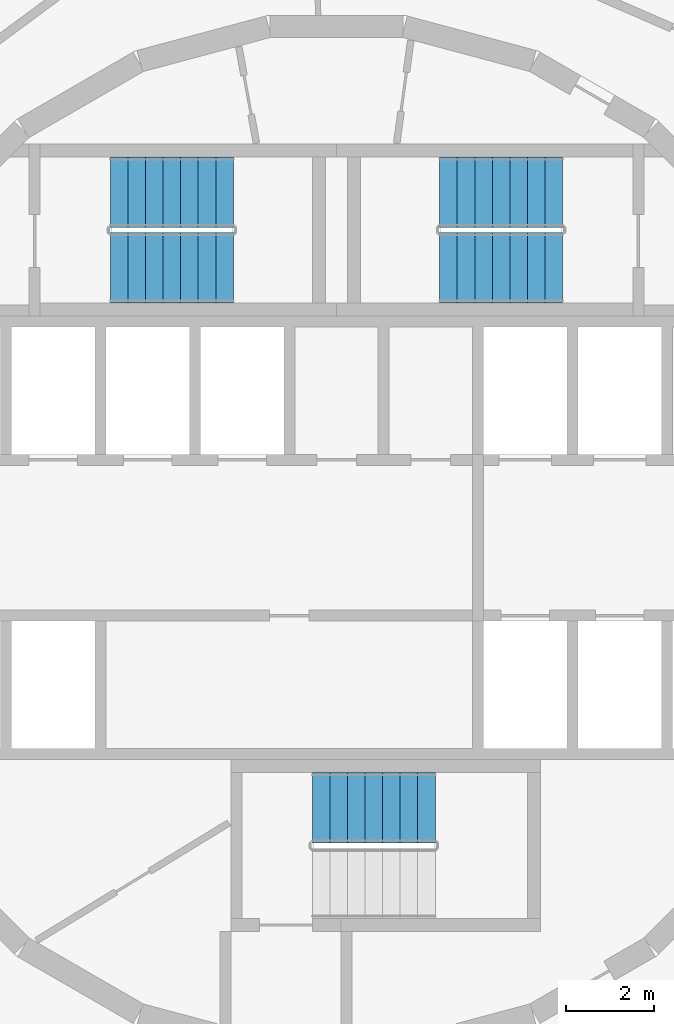
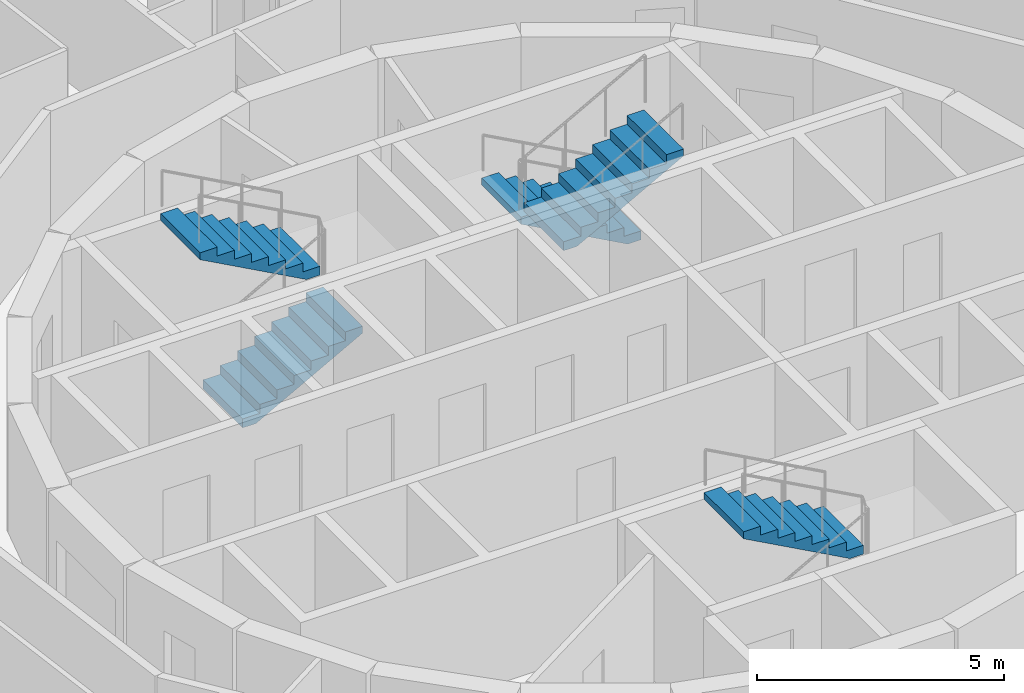
# One storey, part 20 of 21: 5 stair flights, 3 elements without a shape of their own.
"""IFC4 building model written with IfcOpenShell, lengths in metres."""

from ifc_helpers import new_model, si_unit, direction, frame, origin, place, context, subcontext, project, spatial, polyline, outline, extrude, material, type_object, element, aggregate, save


model = new_model("IFC4")

# Units and contexts
model_context = context("Model", 3, precision=1e-05, world=origin(), true_north=direction((0.0, 1.0)))
body_context = subcontext(model_context, "Body", "Model", "MODEL_VIEW")
ifc_project = project(units=[si_unit("LENGTHUNIT", "METRE"), si_unit("AREAUNIT", "SQUARE_METRE"), si_unit("VOLUMEUNIT", "CUBIC_METRE"), si_unit("PLANEANGLEUNIT", "RADIAN"), si_unit("MASSUNIT", "GRAM", prefix="KILO")], contexts=[model_context])

# Site, building, storey
site_placement = place(None, origin())
site = spatial("IfcSite", under=ifc_project, at=site_placement, CompositionType="ELEMENT")
building_placement = place(site_placement, origin())
building = spatial("IfcBuilding", under=site, at=building_placement, Name="Spindle Arch Residences", CompositionType="ELEMENT")
storey_placement = place(building_placement, frame((0.0, 0.0, 97.699951171875)))
storey = spatial("IfcBuildingStorey", under=building, at=storey_placement, Name="L23", CompositionType="ELEMENT", Elevation=97.699951171875)

# Stair, stair flights
ifc_material_1 = material(Name="Concrete C50/60", Category="concrete")
stair_type = type_object("IfcStairType", Name="Exit stair 16 risers", PredefinedType="HALF_TURN_STAIR", material=ifc_material_1)
stair_1_placement = place(storey_placement, origin())
stair_1 = element("IfcStair", 1, at=stair_1_placement, inside=storey, type_object=stair_type, Name="L23 Exit stair ST1", PredefinedType="HALF_TURN_STAIR")
ifc_material_2 = material(Name="Concrete C50/60", Category="concrete")
stair_flight_type = type_object("IfcStairFlightType", Name="Exit stair flight", PredefinedType="STRAIGHT", material=ifc_material_2)
stair_flight_1_placement = place(storey_placement, frame((5.14990234375, 7.8701171875, 0.0), z_axis=(0.0, 0.0, 1.0), x_axis=(-1.0, 0.0, 0.0)))
stair_flight_1 = element("IfcStairFlight", 2, at=stair_flight_1_placement, type_object=stair_flight_type, Name="ST1 flight 1", NumberOfRisers=8, NumberOfTreads=7, PredefinedType="STRAIGHT", RiserHeight=0.21875, TreadLength=0.4, context=body_context, shape_type="SweptSolid", body=[
    extrude(outline(polyline([(0.0, 0.0), (0.0, 0.21875), (0.39990234375, 0.21875), (0.39990234375, 0.4375), (0.800048828125, 0.4375), (0.800048828125, 0.65625), (1.199951171875, 0.65625), (1.199951171875, 0.875), (1.60009765625, 0.875), (1.60009765625, 1.09375), (2.0, 1.09375), (2.0, 1.3125), (2.39990234375, 1.3125), (2.39990234375, 1.53125), (2.800048828125, 1.53125), (2.800048828125, 1.75), (2.800048828125, 1.3603515625), (0.3125, 0.0), (0.0, 0.0)])), frame((0.0, 0.800048828125, 0.0), z_axis=(0.0, -1.0, 0.0), x_axis=(1.0, 0.0, 0.0)), (0.0, 0.0, 1.0), 1.60009765625),
])
stair_flight_2_placement = place(storey_placement, frame((2.35009765625, 6.14990234375, 1.75), z_axis=(0.0, 0.0, 1.0), x_axis=(1.0, 0.0, 0.0)))
stair_flight_2 = element("IfcStairFlight", 3, at=stair_flight_2_placement, type_object=stair_flight_type, Name="ST1 flight 2", NumberOfRisers=8, NumberOfTreads=7, PredefinedType="STRAIGHT", RiserHeight=0.21875, TreadLength=0.4, context=body_context, shape_type="SweptSolid", body=[
    extrude(outline(polyline([(0.0, 0.0), (0.0, 0.21875), (0.39990234375, 0.21875), (0.39990234375, 0.4375), (0.800048828125, 0.4375), (0.800048828125, 0.65625), (1.199951171875, 0.65625), (1.199951171875, 0.875), (1.60009765625, 0.875), (1.60009765625, 1.09375), (2.0, 1.09375), (2.0, 1.3125), (2.39990234375, 1.3125), (2.39990234375, 1.53125), (2.800048828125, 1.53125), (2.800048828125, 1.75), (2.800048828125, 1.3603515625), (0.3125, 0.0), (0.0, 0.0)])), frame((0.0, 0.800048828125, 0.0), z_axis=(0.0, -1.0, 0.0), x_axis=(1.0, 0.0, 0.0)), (0.0, 0.0, 1.0), 1.60009765625),
])
aggregate(stair_1, [stair_flight_1, stair_flight_2])

stair_2_placement = place(storey_placement, origin())
stair_2 = element("IfcStair", 4, at=stair_2_placement, inside=storey, type_object=stair_type, Name="L23 Exit stair ST2", PredefinedType="HALF_TURN_STAIR")
stair_flight_3_placement = place(storey_placement, frame((-5.14990234375, 6.14990234375, 0.0), z_axis=(0.0, 0.0, 1.0), x_axis=(1.0, 0.0, 0.0)))
stair_flight_3 = element("IfcStairFlight", 5, at=stair_flight_3_placement, type_object=stair_flight_type, Name="ST2 flight 1", NumberOfRisers=8, NumberOfTreads=7, PredefinedType="STRAIGHT", RiserHeight=0.21875, TreadLength=0.4, context=body_context, shape_type="SweptSolid", body=[
    extrude(outline(polyline([(0.0, 0.0), (0.0, 0.21875), (0.39990234375, 0.21875), (0.39990234375, 0.4375), (0.800048828125, 0.4375), (0.800048828125, 0.65625), (1.199951171875, 0.65625), (1.199951171875, 0.875), (1.60009765625, 0.875), (1.60009765625, 1.09375), (2.0, 1.09375), (2.0, 1.3125), (2.39990234375, 1.3125), (2.39990234375, 1.53125), (2.800048828125, 1.53125), (2.800048828125, 1.75), (2.800048828125, 1.3603515625), (0.3125, 0.0), (0.0, 0.0)])), frame((0.0, 0.800048828125, 0.0), z_axis=(0.0, -1.0, 0.0), x_axis=(1.0, 0.0, 0.0)), (0.0, 0.0, 1.0), 1.60009765625),
])
stair_flight_4_placement = place(storey_placement, frame((-2.35009765625, 7.8701171875, 1.75), z_axis=(0.0, 0.0, 1.0), x_axis=(-1.0, 0.0, 0.0)))
stair_flight_4 = element("IfcStairFlight", 6, at=stair_flight_4_placement, type_object=stair_flight_type, Name="ST2 flight 2", NumberOfRisers=8, NumberOfTreads=7, PredefinedType="STRAIGHT", RiserHeight=0.21875, TreadLength=0.4, context=body_context, shape_type="SweptSolid", body=[
    extrude(outline(polyline([(0.0, 0.0), (0.0, 0.21875), (0.39990234375, 0.21875), (0.39990234375, 0.4375), (0.800048828125, 0.4375), (0.800048828125, 0.65625), (1.199951171875, 0.65625), (1.199951171875, 0.875), (1.60009765625, 0.875), (1.60009765625, 1.09375), (2.0, 1.09375), (2.0, 1.3125), (2.39990234375, 1.3125), (2.39990234375, 1.53125), (2.800048828125, 1.53125), (2.800048828125, 1.75), (2.800048828125, 1.3603515625), (0.3125, 0.0), (0.0, 0.0)])), frame((0.0, 0.800048828125, 0.0), z_axis=(0.0, -1.0, 0.0), x_axis=(1.0, 0.0, 0.0)), (0.0, 0.0, 1.0), 1.60009765625),
])
aggregate(stair_2, [stair_flight_3, stair_flight_4])

# Stair, stair flight
stair_3_placement = place(storey_placement, origin())
stair_3 = element("IfcStair", 7, at=stair_3_placement, inside=storey, type_object=stair_type, Name="L23 Exit stair ST3", PredefinedType="HALF_TURN_STAIR")
stair_flight_5_placement = place(storey_placement, frame((2.25, -6.14990234375, 1.75), z_axis=(0.0, 0.0, 1.0), x_axis=(-1.0, 0.0, 0.0)))
stair_flight_5 = element("IfcStairFlight", 8, at=stair_flight_5_placement, type_object=stair_flight_type, Name="ST3 flight 2", NumberOfRisers=8, NumberOfTreads=7, PredefinedType="STRAIGHT", RiserHeight=0.21875, TreadLength=0.4, context=body_context, shape_type="SweptSolid", body=[
    extrude(outline(polyline([(0.0, 0.0), (0.0, 0.21875), (0.39990234375, 0.21875), (0.39990234375, 0.4375), (0.800048828125, 0.4375), (0.800048828125, 0.65625), (1.199951171875, 0.65625), (1.199951171875, 0.875), (1.60009765625, 0.875), (1.60009765625, 1.09375), (2.0, 1.09375), (2.0, 1.3125), (2.39990234375, 1.3125), (2.39990234375, 1.53125), (2.800048828125, 1.53125), (2.800048828125, 1.75), (2.800048828125, 1.3603515625), (0.3125, 0.0), (0.0, 0.0)])), frame((0.0, 0.800048828125, 0.0), z_axis=(0.0, -1.0, 0.0), x_axis=(1.0, 0.0, 0.0)), (0.0, 0.0, 1.0), 1.60009765625),
])
aggregate(stair_3, [stair_flight_5])

save(model, "model.ifc")
